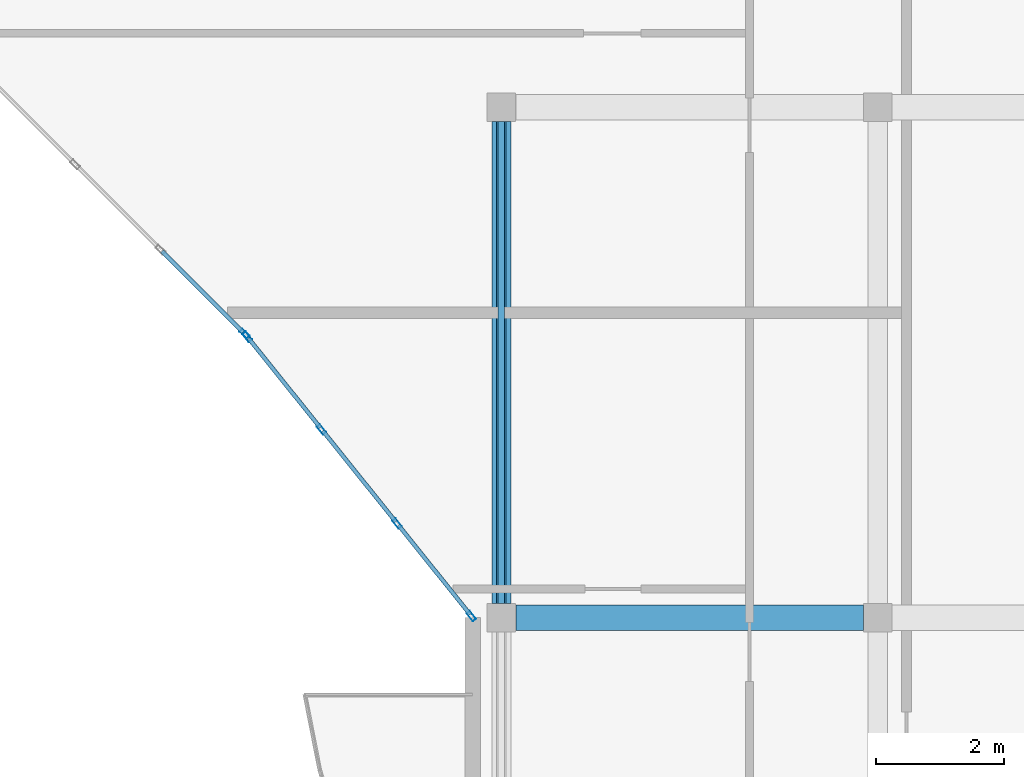
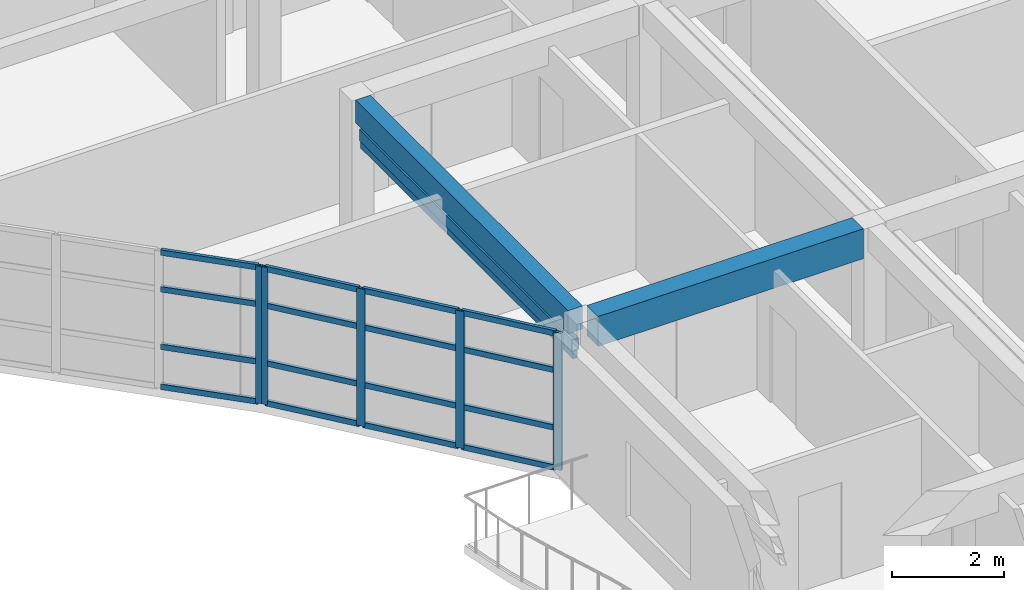
# One storey, part 5 of 18: 23 members, 2 beams, 2 elements without a shape of their own.
"""IFC4 building model written with IfcOpenShell, lengths in metres."""

from ifc_helpers import new_model, si_unit, direction, frame, origin, origin_2d, place, context, subcontext, project, spatial, rectangle, hollow_rectangle, extrude, material, layer, layer_set, material_profile, profile_set, type_object, element, aggregate, save


model = new_model("IFC4")

# Units and contexts
model_context = context("Model", 3, precision=1e-05, world=origin(), true_north=direction((0.0, 1.0)))
body_context = subcontext(model_context, "Body", "Model", "MODEL_VIEW")
ifc_project = project(units=[si_unit("LENGTHUNIT", "METRE"), si_unit("AREAUNIT", "SQUARE_METRE"), si_unit("VOLUMEUNIT", "CUBIC_METRE"), si_unit("PLANEANGLEUNIT", "RADIAN"), si_unit("MASSUNIT", "GRAM", prefix="KILO")], contexts=[model_context])

# Site, building, storey
site_placement = place(None, origin())
site = spatial("IfcSite", under=ifc_project, at=site_placement, CompositionType="ELEMENT")
building_placement = place(site_placement, origin())
building = spatial("IfcBuilding", under=site, at=building_placement, Name="Keldmere Railside Commons", CompositionType="ELEMENT")
storey_placement = place(building_placement, frame((0.0, 0.0, 39.360107421875)))
storey = spatial("IfcBuildingStorey", under=building, at=storey_placement, Name="L12", CompositionType="ELEMENT", Elevation=39.360107421875)

# Member
ifc_material_1 = material(Name="Steel F-36 (S355)", Category="steel")
ifc_material_profile_1 = material_profile(ifc_material_1, hollow_rectangle(XDim=0.14990234375, YDim=0.25, WallThickness=0.010009765625, at=origin_2d()), Name="RHS-250x150x10")
ifc_profile_set_1 = profile_set([ifc_material_profile_1], Name="Steel F-36 (S355)")
member_type_1 = type_object("IfcMemberType", Name="Balcony Continuous Planted Trough RHS250x150", PredefinedType="CHORD", material=ifc_profile_set_1)
member_1_placement = place(storey_placement, frame((168.449951171875, 88.22509765625, 2.414794921875), z_axis=(0.0, 1.0, 0.0), x_axis=(-1.0, 0.0, 0.0)))
element("IfcMember", 1, at=member_1_placement, inside=storey, type_object=member_type_1, Name="PLT-1 MEM-BPLT-1039", PredefinedType="CHORD", context=body_context, shape_type="SweptSolid", body=[
    extrude(hollow_rectangle(XDim=0.14990234375, YDim=0.25, WallThickness=0.010009765625, at=origin_2d()), origin(), (0.0, 0.0, 1.0), 7.5498046875),
])

# Beams
ifc_material_2 = material(Name="Concrete H-30 (C30/37)", Category="concrete")
ifc_material_profile_2 = material_profile(ifc_material_2, rectangle(XDim=0.39990234375, YDim=0.64990234375, at=origin_2d()), Name="RC-400x650")
ifc_profile_set_2 = profile_set([ifc_material_profile_2], Name="Concrete H-30 (C30/37)")
beam_type_1 = type_object("IfcBeamType", Name="Residential Spine RC Girder 400x650", PredefinedType="BEAM", material=ifc_profile_set_2)
beam_1_placement = place(storey_placement, frame((168.675048828125, 88.0, 2.875), z_axis=(1.0, 0.0, 0.0), x_axis=(0.0, 1.0, 0.0)))
element("IfcBeam", 2, at=beam_1_placement, inside=storey, type_object=beam_type_1, Name="BG-3 BM-L12-2489", PredefinedType="BEAM", context=body_context, shape_type="SweptSolid", body=[
    extrude(rectangle(XDim=0.39990234375, YDim=0.64990234375, at=origin_2d()), origin(), (0.0, 0.0, 1.0), 5.449951171875),
])
ifc_material_profile_3 = material_profile(ifc_material_2, rectangle(XDim=0.300048828125, YDim=0.5, at=origin_2d()), Name="RC-300x500")
ifc_profile_set_3 = profile_set([ifc_material_profile_3], Name="Concrete H-30 (C30/37)")
beam_type_2 = type_object("IfcBeamType", Name="Secondary Frame RC Beam 300x500", PredefinedType="BEAM", material=ifc_profile_set_3)
beam_2_placement = place(storey_placement, frame((168.449951171875, 88.22509765625, 2.949951171875), z_axis=(0.0, 1.0, 0.0), x_axis=(-1.0, 0.0, 0.0)))
element("IfcBeam", 3, at=beam_2_placement, inside=storey, type_object=beam_type_2, Name="BG-5 BM-L12-2504", PredefinedType="BEAM", context=body_context, shape_type="SweptSolid", body=[
    extrude(rectangle(XDim=0.300048828125, YDim=0.5, at=origin_2d()), origin(), (0.0, 0.0, 1.0), 7.5498046875),
])

# Member
ifc_material_profile_4 = material_profile(ifc_material_1, hollow_rectangle(XDim=0.10009765625, YDim=0.159912109375, WallThickness=0.008056640625, at=origin_2d()), Name="RHS-160x100x8")
ifc_profile_set_4 = profile_set([ifc_material_profile_4], Name="Steel F-36 (S355)")
member_type_2 = type_object("IfcMemberType", Name="Solar Brise-Soleil Louvre Fin RHS160x100", PredefinedType="STRUT", material=ifc_profile_set_4)
member_2_placement = place(storey_placement, frame((168.449951171875, 88.22509765625, 2.199951171875), z_axis=(0.0, 1.0, 0.0), x_axis=(-1.0, 0.0, 0.0)))
element("IfcMember", 4, at=member_2_placement, inside=storey, type_object=member_type_2, Name="BSF-1 MEM-BSF-1040", PredefinedType="STRUT", context=body_context, shape_type="SweptSolid", body=[
    extrude(hollow_rectangle(XDim=0.10009765625, YDim=0.159912109375, WallThickness=0.008056640625, at=origin_2d()), origin(), (0.0, 0.0, 1.0), 7.5498046875),
])

# Curtain wall, member
ifc_material_3 = material(Name="Thermally Broken Aluminium", Category="aluminium")
ifc_layer_1 = layer(ifc_material_3, 0.159912109375, Name="Court Chord Wintergarden CW 4800x2850")
ifc_layer_set_1 = layer_set([ifc_layer_1], Name="Thermally Broken Aluminium")
curtain_wall_type_1 = type_object("IfcCurtainWallType", Name="Court Chord Wintergarden CW 4800x2850", PredefinedType="NOTDEFINED", material=ifc_layer_set_1)
curtain_wall_1_placement = place(storey_placement, origin())
curtain_wall_1 = element("IfcCurtainWall", 5, at=curtain_wall_1_placement, inside=storey, type_object=curtain_wall_type_1, Name="CW-12 CW-L12-194", PredefinedType="NOTDEFINED")
ifc_material_profile_5 = material_profile(ifc_material_3, hollow_rectangle(XDim=0.06494140625, YDim=0.159912109375, WallThickness=0.00390625, at=origin_2d()), Name="ALU-MULL-65x160")
ifc_profile_set_5 = profile_set([ifc_material_profile_5], Name="Thermally Broken Aluminium")
member_type_3 = type_object("IfcMemberType", Name="Unitised Curtain Wall Mullion 65x160", PredefinedType="MULLION", material=ifc_profile_set_5)
member_3_placement = place(storey_placement, frame((164.423095703125, 92.452880859375, 0.0), z_axis=(0.0, 0.0, 1.0), x_axis=(-0.707106781187, -0.707106781187, 0.0)))
member_3 = element("IfcMember", 6, at=member_3_placement, type_object=member_type_3, Name="CW-12 mullion 1", PredefinedType="MULLION", context=body_context, shape_type="SweptSolid", body=[
    extrude(hollow_rectangle(XDim=0.06494140625, YDim=0.159912109375, WallThickness=0.00390625, at=origin_2d()), origin(), (0.0, 0.0, 1.0), 2.97998046875),
])

# Curtain wall, members
ifc_layer_2 = layer(ifc_material_3, 0.159912109375, Name="Court Chord Wintergarden CW 5400x2850")
ifc_layer_set_2 = layer_set([ifc_layer_2], Name="Thermally Broken Aluminium")
curtain_wall_type_2 = type_object("IfcCurtainWallType", Name="Court Chord Wintergarden CW 5400x2850", PredefinedType="NOTDEFINED", material=ifc_layer_set_2)
curtain_wall_2_placement = place(storey_placement, origin())
curtain_wall_2 = element("IfcCurtainWall", 7, at=curtain_wall_2_placement, inside=storey, type_object=curtain_wall_type_2, Name="CW-13 CW-L12-195", PredefinedType="NOTDEFINED")
member_4_placement = place(storey_placement, frame((167.979736328125, 88.025390625, 0.0), z_axis=(0.0, 0.0, 1.0), x_axis=(-0.780009172323, -0.625768080915, 0.0)))
member_4 = element("IfcMember", 8, at=member_4_placement, type_object=member_type_3, Name="CW-13 mullion 1", PredefinedType="MULLION", context=body_context, shape_type="SweptSolid", body=[
    extrude(hollow_rectangle(XDim=0.06494140625, YDim=0.159912109375, WallThickness=0.00390625, at=origin_2d()), origin(), (0.0, 0.0, 1.0), 2.97998046875),
])
member_5_placement = place(storey_placement, frame((166.8154296875, 89.4765625, 0.0), z_axis=(0.0, 0.0, 1.0), x_axis=(-0.780009172323, -0.625768080915, 0.0)))
member_5 = element("IfcMember", 9, at=member_5_placement, type_object=member_type_3, Name="CW-13 mullion 2", PredefinedType="MULLION", context=body_context, shape_type="SweptSolid", body=[
    extrude(hollow_rectangle(XDim=0.06494140625, YDim=0.159912109375, WallThickness=0.00390625, at=origin_2d()), origin(), (0.0, 0.0, 1.0), 2.97998046875),
])
member_6_placement = place(storey_placement, frame((165.630615234375, 90.953369140625, 0.0), z_axis=(0.0, 0.0, 1.0), x_axis=(-0.780009172323, -0.625768080915, 0.0)))
member_6 = element("IfcMember", 10, at=member_6_placement, type_object=member_type_3, Name="CW-13 mullion 3", PredefinedType="MULLION", context=body_context, shape_type="SweptSolid", body=[
    extrude(hollow_rectangle(XDim=0.06494140625, YDim=0.159912109375, WallThickness=0.00390625, at=origin_2d()), origin(), (0.0, 0.0, 1.0), 2.97998046875),
])
member_7_placement = place(storey_placement, frame((164.46630859375, 92.404541015625, 0.0), z_axis=(0.0, 0.0, 1.0), x_axis=(-0.780009172323, -0.625768080915, 0.0)))
member_7 = element("IfcMember", 11, at=member_7_placement, type_object=member_type_3, Name="CW-13 mullion 4", PredefinedType="MULLION", context=body_context, shape_type="SweptSolid", body=[
    extrude(hollow_rectangle(XDim=0.06494140625, YDim=0.159912109375, WallThickness=0.00390625, at=origin_2d()), origin(), (0.0, 0.0, 1.0), 2.97998046875),
])

# Member
ifc_material_profile_6 = material_profile(ifc_material_3, hollow_rectangle(XDim=0.06494140625, YDim=0.1201171875, WallThickness=0.00390625, at=origin_2d()), Name="ALU-TRAN-65x120")
ifc_profile_set_6 = profile_set([ifc_material_profile_6], Name="Thermally Broken Aluminium")
member_type_4 = type_object("IfcMemberType", Name="Unitised Curtain Wall Transom 65x120", PredefinedType="USERDEFINED", material=ifc_profile_set_6)
member_8_placement = place(storey_placement, frame((164.400146484375, 92.47607421875, 0.032470703125), z_axis=(-0.707174762418, 0.707038793419, 0.0), x_axis=(-0.707038793419, -0.707174762418, 0.0)))
member_8 = element("IfcMember", 12, at=member_8_placement, type_object=member_type_4, Name="CW-12 transom 1.1", ObjectType="TRANSOM", PredefinedType="USERDEFINED", context=body_context, shape_type="SweptSolid", body=[
    extrude(hollow_rectangle(XDim=0.06494140625, YDim=0.1201171875, WallThickness=0.00390625, at=origin_2d()), origin(), (0.0, 0.0, 1.0), 1.795654296875),
])

member_9_placement = place(storey_placement, frame((164.400146484375, 92.47607421875, 0.89990234375), z_axis=(-0.707174762418, 0.707038793419, 0.0), x_axis=(-0.707038793419, -0.707174762418, 0.0)))
member_9 = element("IfcMember", 13, at=member_9_placement, type_object=member_type_4, Name="CW-12 transom 1.2", ObjectType="TRANSOM", PredefinedType="USERDEFINED", context=body_context, shape_type="SweptSolid", body=[
    extrude(hollow_rectangle(XDim=0.06494140625, YDim=0.1201171875, WallThickness=0.00390625, at=origin_2d()), origin(), (0.0, 0.0, 1.0), 1.795654296875),
])

member_10_placement = place(storey_placement, frame((164.400146484375, 92.47607421875, 2.14990234375), z_axis=(-0.707174762418, 0.707038793419, 0.0), x_axis=(-0.707038793419, -0.707174762418, 0.0)))
member_10 = element("IfcMember", 14, at=member_10_placement, type_object=member_type_4, Name="CW-12 transom 1.3", ObjectType="TRANSOM", PredefinedType="USERDEFINED", context=body_context, shape_type="SweptSolid", body=[
    extrude(hollow_rectangle(XDim=0.06494140625, YDim=0.1201171875, WallThickness=0.00390625, at=origin_2d()), origin(), (0.0, 0.0, 1.0), 1.795654296875),
])

member_11_placement = place(storey_placement, frame((164.400146484375, 92.47607421875, 2.947509765625), z_axis=(-0.707174762418, 0.707038793419, 0.0), x_axis=(-0.707038793419, -0.707174762418, 0.0)))
member_11 = element("IfcMember", 15, at=member_11_placement, type_object=member_type_4, Name="CW-12 transom 1.4", ObjectType="TRANSOM", PredefinedType="USERDEFINED", context=body_context, shape_type="SweptSolid", body=[
    extrude(hollow_rectangle(XDim=0.06494140625, YDim=0.1201171875, WallThickness=0.00390625, at=origin_2d()), origin(), (0.0, 0.0, 1.0), 1.795654296875),
])

aggregate(curtain_wall_1, [member_3, member_8, member_9, member_10, member_11])

member_12_placement = place(storey_placement, frame((167.959228515625, 88.05078125, 0.032470703125), z_axis=(-0.625722553313, 0.780045694992, 0.0), x_axis=(-0.780045694992, -0.625722553313, 0.0)))
member_12 = element("IfcMember", 16, at=member_12_placement, type_object=member_type_4, Name="CW-13 transom 1.1", ObjectType="TRANSOM", PredefinedType="USERDEFINED", context=body_context, shape_type="SweptSolid", body=[
    extrude(hollow_rectangle(XDim=0.06494140625, YDim=0.1201171875, WallThickness=0.00390625, at=origin_2d()), origin(), (0.0, 0.0, 1.0), 1.795654296875),
])

member_13_placement = place(storey_placement, frame((167.959228515625, 88.05078125, 0.89990234375), z_axis=(-0.625722553313, 0.780045694992, 0.0), x_axis=(-0.780045694992, -0.625722553313, 0.0)))
member_13 = element("IfcMember", 17, at=member_13_placement, type_object=member_type_4, Name="CW-13 transom 1.2", ObjectType="TRANSOM", PredefinedType="USERDEFINED", context=body_context, shape_type="SweptSolid", body=[
    extrude(hollow_rectangle(XDim=0.06494140625, YDim=0.1201171875, WallThickness=0.00390625, at=origin_2d()), origin(), (0.0, 0.0, 1.0), 1.795654296875),
])

member_14_placement = place(storey_placement, frame((167.959228515625, 88.05078125, 2.14990234375), z_axis=(-0.625722553313, 0.780045694992, 0.0), x_axis=(-0.780045694992, -0.625722553313, 0.0)))
member_14 = element("IfcMember", 18, at=member_14_placement, type_object=member_type_4, Name="CW-13 transom 1.3", ObjectType="TRANSOM", PredefinedType="USERDEFINED", context=body_context, shape_type="SweptSolid", body=[
    extrude(hollow_rectangle(XDim=0.06494140625, YDim=0.1201171875, WallThickness=0.00390625, at=origin_2d()), origin(), (0.0, 0.0, 1.0), 1.795654296875),
])

member_15_placement = place(storey_placement, frame((167.959228515625, 88.05078125, 2.947509765625), z_axis=(-0.625722553313, 0.780045694992, 0.0), x_axis=(-0.780045694992, -0.625722553313, 0.0)))
member_15 = element("IfcMember", 19, at=member_15_placement, type_object=member_type_4, Name="CW-13 transom 1.4", ObjectType="TRANSOM", PredefinedType="USERDEFINED", context=body_context, shape_type="SweptSolid", body=[
    extrude(hollow_rectangle(XDim=0.06494140625, YDim=0.1201171875, WallThickness=0.00390625, at=origin_2d()), origin(), (0.0, 0.0, 1.0), 1.795654296875),
])

member_16_placement = place(storey_placement, frame((166.794921875, 89.501953125, 0.032470703125), z_axis=(-0.625688033635, 0.78007338409, 0.0), x_axis=(-0.78007338409, -0.625688033635, 0.0)))
member_16 = element("IfcMember", 20, at=member_16_placement, type_object=member_type_4, Name="CW-13 transom 2.1", ObjectType="TRANSOM", PredefinedType="USERDEFINED", context=body_context, shape_type="SweptSolid", body=[
    extrude(hollow_rectangle(XDim=0.06494140625, YDim=0.1201171875, WallThickness=0.00390625, at=origin_2d()), origin(), (0.0, 0.0, 1.0), 1.828125),
])

member_17_placement = place(storey_placement, frame((166.794921875, 89.501953125, 0.89990234375), z_axis=(-0.625688033635, 0.78007338409, 0.0), x_axis=(-0.78007338409, -0.625688033635, 0.0)))
member_17 = element("IfcMember", 21, at=member_17_placement, type_object=member_type_4, Name="CW-13 transom 2.2", ObjectType="TRANSOM", PredefinedType="USERDEFINED", context=body_context, shape_type="SweptSolid", body=[
    extrude(hollow_rectangle(XDim=0.06494140625, YDim=0.1201171875, WallThickness=0.00390625, at=origin_2d()), origin(), (0.0, 0.0, 1.0), 1.828125),
])

member_18_placement = place(storey_placement, frame((166.794921875, 89.501953125, 2.14990234375), z_axis=(-0.625688033635, 0.78007338409, 0.0), x_axis=(-0.78007338409, -0.625688033635, 0.0)))
member_18 = element("IfcMember", 22, at=member_18_placement, type_object=member_type_4, Name="CW-13 transom 2.3", ObjectType="TRANSOM", PredefinedType="USERDEFINED", context=body_context, shape_type="SweptSolid", body=[
    extrude(hollow_rectangle(XDim=0.06494140625, YDim=0.1201171875, WallThickness=0.00390625, at=origin_2d()), origin(), (0.0, 0.0, 1.0), 1.828125),
])

member_19_placement = place(storey_placement, frame((166.794921875, 89.501953125, 2.947509765625), z_axis=(-0.625688033635, 0.78007338409, 0.0), x_axis=(-0.78007338409, -0.625688033635, 0.0)))
member_19 = element("IfcMember", 23, at=member_19_placement, type_object=member_type_4, Name="CW-13 transom 2.4", ObjectType="TRANSOM", PredefinedType="USERDEFINED", context=body_context, shape_type="SweptSolid", body=[
    extrude(hollow_rectangle(XDim=0.06494140625, YDim=0.1201171875, WallThickness=0.00390625, at=origin_2d()), origin(), (0.0, 0.0, 1.0), 1.828125),
])

member_20_placement = place(storey_placement, frame((165.6103515625, 90.978759765625, 0.032470703125), z_axis=(-0.625805275091, 0.779979331565, 0.0), x_axis=(-0.779979331565, -0.625805275091, 0.0)))
member_20 = element("IfcMember", 24, at=member_20_placement, type_object=member_type_4, Name="CW-13 transom 3.1", ObjectType="TRANSOM", PredefinedType="USERDEFINED", context=body_context, shape_type="SweptSolid", body=[
    extrude(hollow_rectangle(XDim=0.06494140625, YDim=0.1201171875, WallThickness=0.00390625, at=origin_2d()), origin(), (0.0, 0.0, 1.0), 1.795654296875),
])

member_21_placement = place(storey_placement, frame((165.6103515625, 90.978759765625, 0.89990234375), z_axis=(-0.625805275091, 0.779979331565, 0.0), x_axis=(-0.779979331565, -0.625805275091, 0.0)))
member_21 = element("IfcMember", 25, at=member_21_placement, type_object=member_type_4, Name="CW-13 transom 3.2", ObjectType="TRANSOM", PredefinedType="USERDEFINED", context=body_context, shape_type="SweptSolid", body=[
    extrude(hollow_rectangle(XDim=0.06494140625, YDim=0.1201171875, WallThickness=0.00390625, at=origin_2d()), origin(), (0.0, 0.0, 1.0), 1.795654296875),
])

member_22_placement = place(storey_placement, frame((165.6103515625, 90.978759765625, 2.14990234375), z_axis=(-0.625805275091, 0.779979331565, 0.0), x_axis=(-0.779979331565, -0.625805275091, 0.0)))
member_22 = element("IfcMember", 26, at=member_22_placement, type_object=member_type_4, Name="CW-13 transom 3.3", ObjectType="TRANSOM", PredefinedType="USERDEFINED", context=body_context, shape_type="SweptSolid", body=[
    extrude(hollow_rectangle(XDim=0.06494140625, YDim=0.1201171875, WallThickness=0.00390625, at=origin_2d()), origin(), (0.0, 0.0, 1.0), 1.795654296875),
])

member_23_placement = place(storey_placement, frame((165.6103515625, 90.978759765625, 2.947509765625), z_axis=(-0.625805275091, 0.779979331565, 0.0), x_axis=(-0.779979331565, -0.625805275091, 0.0)))
member_23 = element("IfcMember", 27, at=member_23_placement, type_object=member_type_4, Name="CW-13 transom 3.4", ObjectType="TRANSOM", PredefinedType="USERDEFINED", context=body_context, shape_type="SweptSolid", body=[
    extrude(hollow_rectangle(XDim=0.06494140625, YDim=0.1201171875, WallThickness=0.00390625, at=origin_2d()), origin(), (0.0, 0.0, 1.0), 1.795654296875),
])

aggregate(curtain_wall_2, [member_4, member_5, member_6, member_7, member_12, member_13, member_14, member_15, member_16, member_17, member_18, member_19, member_20, member_21, member_22, member_23])

save(model, "model.ifc")
